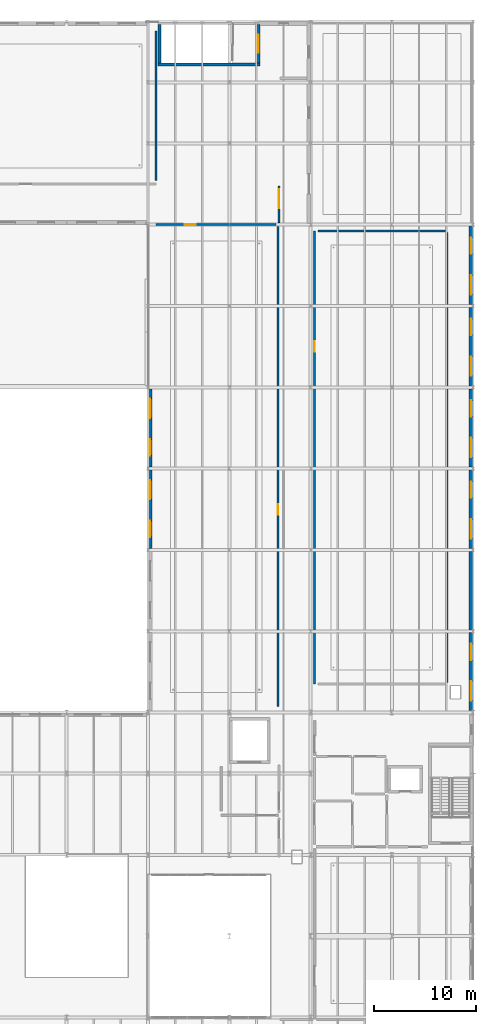
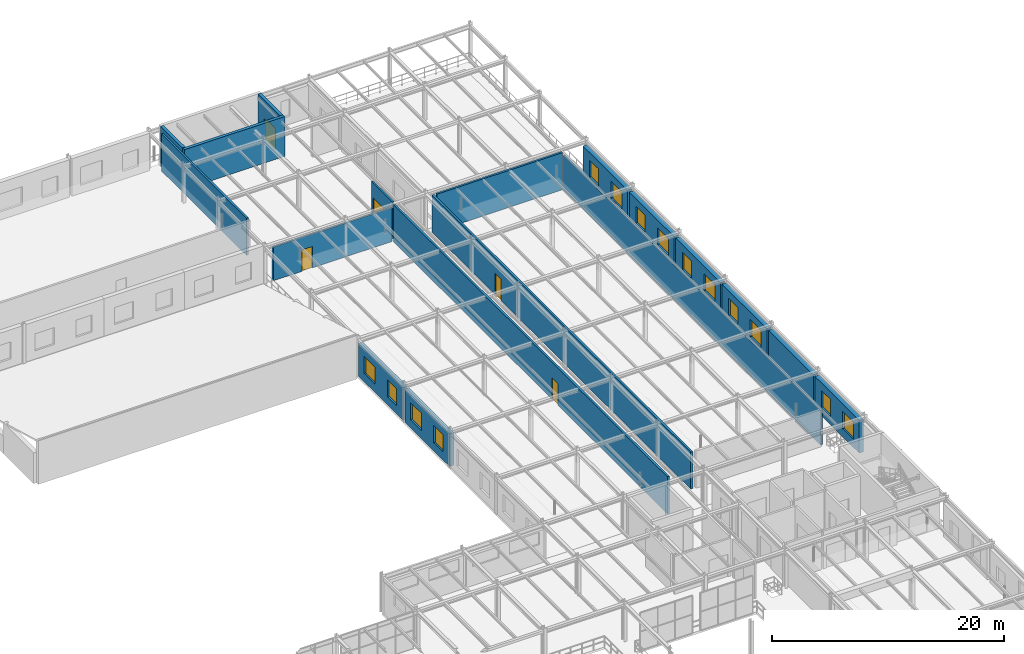
# One storey, part 88 of 124: 18 walls, 14 windows, 5 doors, 19 openings.
"""IFC4 building model written with IfcOpenShell, lengths in metres."""

import ifcopenshell
import ifcopenshell.guid

model = None  # the IFC model being written
_history = None  # IfcOwnerHistory: only IFC2X3 demands one
_inside = {}  # id of a spatial element -> (the spatial element, [elements in it])
_under = {}  # id of a project, library or spatial element -> (it, [spatial elements below it])
_declared = {}  # id of a project -> (the project, [libraries it declares])
_typed = {}  # id of a type object -> (the type object, [elements of that type])
_made_of = {}  # id of a material, layer set ... -> (it, [elements and type objects made of it])


def new_model(schema):
    """Start an empty IFC model of exactly this schema.

    Asked for "IFC4X3", IfcOpenShell would pick the latest addendum, in which some entities
    have other attributes; the version numbers below select the first issue.
    IFC2X3 requires an IfcOwnerHistory on every rooted entity: one is made here for all.
    """
    global model, _history
    if schema == "IFC4X3":
        model = ifcopenshell.file(schema_version=(4, 3, 0, 0))
    else:
        model = ifcopenshell.file(schema=schema)
    _inside.clear()
    _under.clear()
    _declared.clear()
    _typed.clear()
    _made_of.clear()
    _history = None
    if model.schema == "IFC2X3":
        org = make("IfcOrganization", Name="unknown")
        user = make(
            "IfcPersonAndOrganization",
            ThePerson=make("IfcPerson", FamilyName="unknown"),
            TheOrganization=org,
        )
        app = make(
            "IfcApplication",
            ApplicationDeveloper=org,
            Version="unknown",
            ApplicationFullName="unknown",
            ApplicationIdentifier="unknown",
        )
        _history = make(
            "IfcOwnerHistory",
            OwningUser=user,
            OwningApplication=app,
            ChangeAction="ADDED",
            CreationDate=0,
        )
    return model


def make(cls, **values):
    """One entity of the class cls with the attributes given. An attribute that is None is left unset."""
    return model.create_entity(
        cls, **{name: value for name, value in values.items() if value is not None}
    )


def rooted(cls, **values):
    """An entity with a GlobalId (a new one), such as an element, a storey or a relation."""
    return make(cls, GlobalId=ifcopenshell.guid.new(), OwnerHistory=_history, **values)


def si_unit(unit_type, name, prefix=None):
    """IfcSIUnit, for example si_unit("LENGTHUNIT", "METRE", prefix="MILLI")."""
    return make("IfcSIUnit", UnitType=unit_type, Prefix=prefix, Name=name)


def assignment(units):
    """IfcUnitAssignment: the units of a project."""
    return None if units is None else make("IfcUnitAssignment", Units=units)


def point(xyz):
    """IfcCartesianPoint."""
    return None if xyz is None else make("IfcCartesianPoint", Coordinates=xyz)


def direction(xyz):
    """IfcDirection."""
    return None if xyz is None else make("IfcDirection", DirectionRatios=xyz)


def frame(location, z_axis=None, x_axis=None):
    """IfcAxis2Placement3D, a coordinate frame: its origin and axes. An axis left out is left unset."""
    return make(
        "IfcAxis2Placement3D",
        Location=point(location),
        Axis=direction(z_axis),
        RefDirection=direction(x_axis),
    )


def frame_2d(location, x_axis=None):
    """IfcAxis2Placement2D, a coordinate frame in the plane: its origin and x axis."""
    return make(
        "IfcAxis2Placement2D", Location=point(location), RefDirection=direction(x_axis)
    )


def origin():
    """The frame at (0, 0, 0) with its axes left unset."""
    return frame((0.0, 0.0, 0.0))


def place(relative_to, where):
    """IfcLocalPlacement: puts the frame where relative to a parent placement (None: the world)."""
    return make(
        "IfcLocalPlacement", PlacementRelTo=relative_to, RelativePlacement=where
    )


def context(
    kind, dimensions, precision=None, world=None, true_north=None, identifier=None
):
    """IfcGeometricRepresentationContext, for example the 3D "Model" context."""
    return make(
        "IfcGeometricRepresentationContext",
        ContextIdentifier=identifier,
        ContextType=kind,
        CoordinateSpaceDimension=dimensions,
        Precision=precision,
        WorldCoordinateSystem=world,
        TrueNorth=true_north,
    )


def subcontext(parent, identifier, kind, view, scale=None):
    """IfcGeometricRepresentationSubContext, for example "Body" below "Model"."""
    return make(
        "IfcGeometricRepresentationSubContext",
        ContextIdentifier=identifier,
        ContextType=kind,
        ParentContext=parent,
        TargetScale=scale,
        TargetView=view,
    )


def project(units=None, contexts=None):
    """IfcProject with its units and contexts."""
    return rooted(
        "IfcProject",
        Name="project",
        RepresentationContexts=contexts,
        UnitsInContext=assignment(units),
    )


def spatial(cls, under=None, at=None, **own):
    """A site, building, storey or space (cls), placed at a placement, below another one or the project."""
    s = rooted(cls, ObjectPlacement=at, **own)
    if under is not None:
        _under.setdefault(under.id(), (under, []))[1].append(s)
    return s


def profile(cls, at=None, kind="AREA", **sizes):
    """A parametric profile (cls). Its sizes go by their IFC names, for example OverallWidth=200.0."""
    return make(cls, ProfileType=kind, Position=at, **sizes)


def rectangle(**sizes):
    """IfcRectangleProfileDef."""
    return profile("IfcRectangleProfileDef", **sizes)


def extrude(swept, where, along, depth):
    """IfcExtrudedAreaSolid: the profile swept, set in the frame where, extruded along a direction by depth."""
    return make(
        "IfcExtrudedAreaSolid",
        SweptArea=swept,
        Position=where,
        ExtrudedDirection=direction(along),
        Depth=depth,
    )


def shape(context_of_items, identifier, shape_type, items):
    """IfcShapeRepresentation: the items that make up one representation, for example the "Body"."""
    return make(
        "IfcShapeRepresentation",
        ContextOfItems=context_of_items,
        RepresentationIdentifier=identifier,
        RepresentationType=shape_type,
        Items=items,
    )


def material(Name=None, Category=None):
    """IfcMaterial."""
    return make("IfcMaterial", Name=Name, Category=Category)


def layer(
    of_material, thickness, ventilated=None, Name=None, Category=None, Priority=None
):
    """IfcMaterialLayer: one layer of a wall or slab, of a material (None: an air gap)."""
    return make(
        "IfcMaterialLayer",
        Material=of_material,
        LayerThickness=thickness,
        IsVentilated=ventilated,
        Name=Name,
        Category=Category,
        Priority=Priority,
    )


def layer_set(layers, Name=None):
    """IfcMaterialLayerSet."""
    return make("IfcMaterialLayerSet", MaterialLayers=layers, LayerSetName=Name)


def made_of(thing, what):
    """Note that an element or type object is made of a material, layer set ...; save() writes the relation."""
    if what is not None:
        _made_of.setdefault(what.id(), (what, []))[1].append(thing)
    return thing


def type_object(cls, material=None, **own):
    """A type object (cls), such as IfcWallType, which elements share."""
    return made_of(rooted(cls, **own), material)


def element(
    cls,
    number,
    at=None,
    inside=None,
    cuts=None,
    type_object=None,
    material=None,
    context=None,
    identifier="Body",
    shape_type=None,
    held_by="IfcProductDefinitionShape",
    body=None,
    shapes=None,
    **own,
):
    """One element of the class cls, such as IfcWall. Its Tag is "e" and its number.

    at: its placement. inside: the storey or other place that contains it. cuts: it is an
    opening in that element (IfcRelVoidsElement). A single representation is given by context,
    identifier, shape_type and body (its items); several are given by shapes. held_by: the class
    of the entity that holds the representations. save() writes the other relations.
    """
    e = rooted(cls, Tag="e%d" % number, ObjectPlacement=at, **own)
    if body is not None:
        shapes = [shape(context, identifier, shape_type, body)]
    if shapes is not None:
        e.Representation = make(held_by, Representations=shapes)
    if inside is not None:
        _inside.setdefault(inside.id(), (inside, []))[1].append(e)
    if cuts is not None:
        rooted(
            "IfcRelVoidsElement", RelatingBuildingElement=cuts, RelatedOpeningElement=e
        )
    if type_object is not None:
        _typed.setdefault(type_object.id(), (type_object, []))[1].append(e)
    return made_of(e, material)


def fill(opening, filler):
    """IfcRelFillsElement: the door or window that sits in an opening."""
    return rooted(
        "IfcRelFillsElement",
        RelatingOpeningElement=opening,
        RelatedBuildingElement=filler,
    )


def aggregate(whole, parts):
    """IfcRelAggregates: a whole, such as a stair, and the parts it consists of."""
    return rooted("IfcRelAggregates", RelatingObject=whole, RelatedObjects=parts)


def save(model, path):
    """Write the relations noted so far, then the file.

    IfcRelAggregates (storeys below a building ...), IfcRelContainedInSpatialStructure (elements
    in a storey), IfcRelDefinesByType, IfcRelAssociatesMaterial and IfcRelDeclares: one each for
    every whole, place, type object, material and project.
    """
    for whole, parts in _under.values():
        aggregate(whole, parts)
    for where, things in _inside.values():
        rooted(
            "IfcRelContainedInSpatialStructure",
            RelatedElements=things,
            RelatingStructure=where,
        )
    for kind, things in _typed.values():
        rooted("IfcRelDefinesByType", RelatedObjects=things, RelatingType=kind)
    for what, things in _made_of.values():
        rooted("IfcRelAssociatesMaterial", RelatedObjects=things, RelatingMaterial=what)
    for by, libraries in _declared.values():
        rooted("IfcRelDeclares", RelatingContext=by, RelatedDefinitions=libraries)
    model.write(path)


model = new_model("IFC4")

# Units and contexts
model_context = context("Model", 3, precision=1e-05, world=origin(), true_north=direction((0.0, 1.0)))
body_context = subcontext(model_context, "Body", "Model", "MODEL_VIEW")
ifc_project = project(units=[si_unit("LENGTHUNIT", "METRE"), si_unit("AREAUNIT", "SQUARE_METRE"), si_unit("VOLUMEUNIT", "CUBIC_METRE"), si_unit("PLANEANGLEUNIT", "RADIAN"), si_unit("MASSUNIT", "GRAM", prefix="KILO")], contexts=[model_context])

# Site, building, storey
site_placement = place(None, origin())
site = spatial("IfcSite", under=ifc_project, at=site_placement, CompositionType="ELEMENT")
building_placement = place(site_placement, origin())
building = spatial("IfcBuilding", under=site, at=building_placement, Name="Sundkrona Museum", CompositionType="ELEMENT")
storey_placement = place(building_placement, frame((0.0, 0.0, 17.60009765625)))
storey = spatial("IfcBuildingStorey", under=building, at=storey_placement, Name="L03", CompositionType="ELEMENT", Elevation=17.60009765625)

# Walls
ifc_material_1 = material(Name="Concrete C40/50", Category="concrete")
ifc_layer_1 = layer(ifc_material_1, 0.300048828125)
ifc_layer_set_1 = layer_set([ifc_layer_1], Name="Concrete C40/50")
wall_type_1 = type_object("IfcWallType", Name="W-CORE-300", PredefinedType="SHEAR", material=ifc_layer_set_1)
wall_1_placement = place(storey_placement, frame((137.0, 109.75, 0.0), z_axis=(0.0, 0.0, 1.0), x_axis=(1.0, 0.0, 0.0)))
element("IfcWall", 1, at=wall_1_placement, inside=storey, type_object=wall_type_1, Name="L03 ST-5 Core Shear Wall South", PredefinedType="SHEAR", context=body_context, shape_type="SweptSolid", body=[
    extrude(rectangle(XDim=10.0, YDim=0.300048828125, at=frame_2d((5.0, 0.0))), origin(), (0.0, 0.0, 1.0), 4.199951171875),
])
wall_2_placement = place(storey_placement, frame((137.14990234375, 109.909912109375, 0.0), z_axis=(0.0, 0.0, 1.0), x_axis=(0.0, 1.0, 0.0)))
element("IfcWall", 2, at=wall_2_placement, inside=storey, type_object=wall_type_1, Name="L03 ST-5 Core Shear Wall West", PredefinedType="SHEAR", context=body_context, shape_type="SweptSolid", body=[
    extrude(rectangle(XDim=3.780029296875, YDim=0.300048828125, at=frame_2d((1.89013671875, 0.0))), origin(), (0.0, 0.0, 1.0), 4.199951171875),
])

# Wall, opening, door
wall_3_placement = place(storey_placement, frame((146.85009765625, 109.909912109375, 0.0), z_axis=(0.0, 0.0, 1.0), x_axis=(0.0, 1.0, 0.0)))
wall_3 = element("IfcWall", 3, at=wall_3_placement, inside=storey, type_object=wall_type_1, Name="L03 ST-5 Core Shear Wall East", PredefinedType="SHEAR", context=body_context, shape_type="SweptSolid", body=[
    extrude(rectangle(XDim=3.780029296875, YDim=0.300048828125, at=frame_2d((1.89013671875, 0.0))), origin(), (0.0, 0.0, 1.0), 4.199951171875),
])
opening_1_placement = place(wall_3_placement, frame((0.989990234375, 0.0, 0.0)))
opening_1 = element("IfcOpeningElement", 4, at=opening_1_placement, cuts=wall_3, Name="Opening D-FD60", PredefinedType="OPENING", context=body_context, shape_type="SweptSolid", body=[
    extrude(rectangle(XDim=1.800048828125, YDim=2.199951171875, at=frame_2d((0.89990234375, 1.10009765625))), frame((0.0, 0.159912109375, 0.0), z_axis=(0.0, -1.0, 0.0), x_axis=(1.0, 0.0, 0.0)), (0.0, 0.0, 1.0), 0.320068359375),
])
ifc_material_2 = material(Name="Steel S355J2 Fire Door Leaf", Category="steel")
door_type_1 = type_object("IfcDoorType", Name="D-FD60", OperationType="DOUBLE_DOOR_SINGLE_SWING", PredefinedType="DOOR", material=ifc_material_2)
door_1_placement = place(opening_1_placement, origin())
door_1 = element("IfcDoor", 5, at=door_1_placement, inside=storey, type_object=door_type_1, Name="L03 ST-5 Protected Escape Stair Door DR-ST-5-L03", OperationType="DOUBLE_DOOR_SINGLE_SWING", OverallHeight=2.199951171875, OverallWidth=1.800048828125, PredefinedType="DOOR", context=body_context, shape_type="SweptSolid", body=[
    extrude(rectangle(XDim=1.800048828125, YDim=2.199951171875, at=frame_2d((0.89990234375, 1.10009765625))), frame((0.0, 0.02490234375, 0.0), z_axis=(0.0, -1.0, 0.0), x_axis=(1.0, 0.0, 0.0)), (0.0, 0.0, 1.0), 0.050048828125),
])
fill(opening_1, door_1)

# Wall, openings, windows
ifc_material_3 = material(Name="Scanian Polychrome Clay Brickwork 420 mm", Category="masonry")
ifc_layer_2 = layer(ifc_material_3, 0.419921875)
ifc_layer_set_2 = layer_set([ifc_layer_2], Name="Scanian Polychrome Clay Brickwork 420 mm")
wall_type_2 = type_object("IfcWallType", Name="W-EX-420", PredefinedType="SOLIDWALL", material=ifc_layer_set_2)
wall_4_placement = place(storey_placement, frame((136.2099609375, 62.14208984375, 0.0), z_axis=(0.0, 0.0, 1.0), x_axis=(0.0, 1.0, 0.0)))
wall_4 = element("IfcWall", 6, at=wall_4_placement, inside=storey, type_object=wall_type_2, Name="L03 Facade Wall 0313", PredefinedType="SOLIDWALL", context=body_context, shape_type="SweptSolid", body=[
    extrude(rectangle(XDim=7.7158203125, YDim=0.419921875, at=frame_2d((3.85791015625, 0.0))), origin(), (0.0, 0.0, 1.0), 3.44482421875),
])
opening_2_placement = place(wall_4_placement, frame((1.12890625, 0.0, 0.85009765625)))
opening_2 = element("IfcOpeningElement", 7, at=opening_2_placement, cuts=wall_4, Name="Opening WN-LB-160x180", PredefinedType="OPENING", context=body_context, shape_type="SweptSolid", body=[
    extrude(rectangle(XDim=1.60009765625, YDim=1.800048828125, at=frame_2d((0.800048828125, 0.89990234375))), frame((0.0, 0.219970703125, 0.0), z_axis=(0.0, -1.0, 0.0), x_axis=(1.0, 0.0, 0.0)), (0.0, 0.0, 1.0), 0.43994140625),
])
opening_3_placement = place(wall_4_placement, frame((4.8369140625, 0.0, 0.85009765625)))
opening_3 = element("IfcOpeningElement", 8, at=opening_3_placement, cuts=wall_4, Name="Opening WN-LB-190x180", PredefinedType="OPENING", context=body_context, shape_type="SweptSolid", body=[
    extrude(rectangle(XDim=1.89990234375, YDim=1.800048828125, at=frame_2d((0.949951171875, 0.89990234375))), frame((0.0, 0.219970703125, 0.0), z_axis=(0.0, -1.0, 0.0), x_axis=(1.0, 0.0, 0.0)), (0.0, 0.0, 1.0), 0.43994140625),
])
ifc_material_4 = material(Name="Triple Low-E Argon Glazing in Bronze-Anodised Aluminium", Category="aluminium")
window_type_1 = type_object("IfcWindowType", Name="WN-LB-160x180", PartitioningType="DOUBLE_PANEL_VERTICAL", PredefinedType="WINDOW", material=ifc_material_4)
window_1_placement = place(opening_2_placement, origin())
window_1 = element("IfcWindow", 9, at=window_1_placement, inside=storey, type_object=window_type_1, Name="L03 Conservation laboratory deep-reveal window 1600x1800 WIN-L03-0432", OverallHeight=1.800048828125, OverallWidth=1.60009765625, PartitioningType="DOUBLE_PANEL_VERTICAL", PredefinedType="WINDOW", context=body_context, shape_type="SweptSolid", body=[
    extrude(rectangle(XDim=1.60009765625, YDim=1.800048828125, at=frame_2d((0.800048828125, 0.89990234375))), frame((0.0, 0.030029296875, 0.0), z_axis=(0.0, -1.0, 0.0), x_axis=(1.0, 0.0, 0.0)), (0.0, 0.0, 1.0), 0.06005859375),
])
fill(opening_2, window_1)
window_type_2 = type_object("IfcWindowType", Name="WN-LB-190x180", PartitioningType="DOUBLE_PANEL_VERTICAL", PredefinedType="WINDOW", material=ifc_material_4)
window_2_placement = place(opening_3_placement, origin())
window_2 = element("IfcWindow", 10, at=window_2_placement, inside=storey, type_object=window_type_2, Name="L03 Analytical studio bench-height window 1900x1800 WIN-L03-0433", OverallHeight=1.800048828125, OverallWidth=1.89990234375, PartitioningType="DOUBLE_PANEL_VERTICAL", PredefinedType="WINDOW", context=body_context, shape_type="SweptSolid", body=[
    extrude(rectangle(XDim=1.89990234375, YDim=1.800048828125, at=frame_2d((0.949951171875, 0.89990234375))), frame((0.0, 0.030029296875, 0.0), z_axis=(0.0, -1.0, 0.0), x_axis=(1.0, 0.0, 0.0)), (0.0, 0.0, 1.0), 0.06005859375),
])
fill(opening_3, window_2)

wall_5_placement = place(storey_placement, frame((136.2099609375, 70.14208984375, 0.0), z_axis=(0.0, 0.0, 1.0), x_axis=(0.0, 1.0, 0.0)))
wall_5 = element("IfcWall", 11, at=wall_5_placement, inside=storey, type_object=wall_type_2, Name="L03 Facade Wall 0314", PredefinedType="SOLIDWALL", context=body_context, shape_type="SweptSolid", body=[
    extrude(rectangle(XDim=7.7158203125, YDim=0.419921875, at=frame_2d((3.85791015625, 0.0))), origin(), (0.0, 0.0, 1.0), 3.44482421875),
])
opening_4_placement = place(wall_5_placement, frame((1.12890625, 0.0, 0.85009765625)))
opening_4 = element("IfcOpeningElement", 12, at=opening_4_placement, cuts=wall_5, Name="Opening WN-LB-160x180", PredefinedType="OPENING", context=body_context, shape_type="SweptSolid", body=[
    extrude(rectangle(XDim=1.60009765625, YDim=1.800048828125, at=frame_2d((0.800048828125, 0.89990234375))), frame((0.0, 0.219970703125, 0.0), z_axis=(0.0, -1.0, 0.0), x_axis=(1.0, 0.0, 0.0)), (0.0, 0.0, 1.0), 0.43994140625),
])
opening_5_placement = place(wall_5_placement, frame((4.8369140625, 0.0, 0.85009765625)))
opening_5 = element("IfcOpeningElement", 13, at=opening_5_placement, cuts=wall_5, Name="Opening WN-LB-190x180", PredefinedType="OPENING", context=body_context, shape_type="SweptSolid", body=[
    extrude(rectangle(XDim=1.89990234375, YDim=1.800048828125, at=frame_2d((0.949951171875, 0.89990234375))), frame((0.0, 0.219970703125, 0.0), z_axis=(0.0, -1.0, 0.0), x_axis=(1.0, 0.0, 0.0)), (0.0, 0.0, 1.0), 0.43994140625),
])
window_3_placement = place(opening_4_placement, origin())
window_3 = element("IfcWindow", 14, at=window_3_placement, inside=storey, type_object=window_type_1, Name="L03 Conservation laboratory deep-reveal window 1600x1800 WIN-L03-0434", OverallHeight=1.800048828125, OverallWidth=1.60009765625, PartitioningType="DOUBLE_PANEL_VERTICAL", PredefinedType="WINDOW", context=body_context, shape_type="SweptSolid", body=[
    extrude(rectangle(XDim=1.60009765625, YDim=1.800048828125, at=frame_2d((0.800048828125, 0.89990234375))), frame((0.0, 0.030029296875, 0.0), z_axis=(0.0, -1.0, 0.0), x_axis=(1.0, 0.0, 0.0)), (0.0, 0.0, 1.0), 0.06005859375),
])
fill(opening_4, window_3)
window_4_placement = place(opening_5_placement, origin())
window_4 = element("IfcWindow", 15, at=window_4_placement, inside=storey, type_object=window_type_2, Name="L03 Analytical studio bench-height window 1900x1800 WIN-L03-0435", OverallHeight=1.800048828125, OverallWidth=1.89990234375, PartitioningType="DOUBLE_PANEL_VERTICAL", PredefinedType="WINDOW", context=body_context, shape_type="SweptSolid", body=[
    extrude(rectangle(XDim=1.89990234375, YDim=1.800048828125, at=frame_2d((0.949951171875, 0.89990234375))), frame((0.0, 0.030029296875, 0.0), z_axis=(0.0, -1.0, 0.0), x_axis=(1.0, 0.0, 0.0)), (0.0, 0.0, 1.0), 0.06005859375),
])
fill(opening_5, window_4)

wall_6_placement = place(storey_placement, frame((167.7900390625, 53.85791015625, 0.0), z_axis=(0.0, 0.0, 1.0), x_axis=(0.0, -1.0, 0.0)))
wall_6 = element("IfcWall", 16, at=wall_6_placement, inside=storey, type_object=wall_type_2, Name="L03 Facade Wall 0363", PredefinedType="SOLIDWALL", context=body_context, shape_type="SweptSolid", body=[
    extrude(rectangle(XDim=7.630859375, YDim=0.419921875, at=frame_2d((3.8154296875, 0.0))), origin(), (0.0, 0.0, 1.0), 3.44482421875),
])
opening_6_placement = place(wall_6_placement, frame((1.10791015625, 0.0, 0.85009765625)))
opening_6 = element("IfcOpeningElement", 17, at=opening_6_placement, cuts=wall_6, Name="Opening WN-LB-160x180", PredefinedType="OPENING", context=body_context, shape_type="SweptSolid", body=[
    extrude(rectangle(XDim=1.60009765625, YDim=1.800048828125, at=frame_2d((0.800048828125, 0.89990234375))), frame((0.0, 0.219970703125, 0.0), z_axis=(0.0, -1.0, 0.0), x_axis=(1.0, 0.0, 0.0)), (0.0, 0.0, 1.0), 0.43994140625),
])
opening_7_placement = place(wall_6_placement, frame((4.773193359375, 0.0, 0.85009765625)))
opening_7 = element("IfcOpeningElement", 18, at=opening_7_placement, cuts=wall_6, Name="Opening WN-LB-190x180", PredefinedType="OPENING", context=body_context, shape_type="SweptSolid", body=[
    extrude(rectangle(XDim=1.89990234375, YDim=1.800048828125, at=frame_2d((0.949951171875, 0.89990234375))), frame((0.0, 0.219970703125, 0.0), z_axis=(0.0, -1.0, 0.0), x_axis=(1.0, 0.0, 0.0)), (0.0, 0.0, 1.0), 0.43994140625),
])
window_5_placement = place(opening_6_placement, origin())
window_5 = element("IfcWindow", 19, at=window_5_placement, inside=storey, type_object=window_type_1, Name="L03 Conservation laboratory deep-reveal window 1600x1800 WIN-L03-0469", OverallHeight=1.800048828125, OverallWidth=1.60009765625, PartitioningType="DOUBLE_PANEL_VERTICAL", PredefinedType="WINDOW", context=body_context, shape_type="SweptSolid", body=[
    extrude(rectangle(XDim=1.60009765625, YDim=1.800048828125, at=frame_2d((0.800048828125, 0.89990234375))), frame((0.0, 0.030029296875, 0.0), z_axis=(0.0, -1.0, 0.0), x_axis=(1.0, 0.0, 0.0)), (0.0, 0.0, 1.0), 0.06005859375),
])
fill(opening_6, window_5)
window_6_placement = place(opening_7_placement, origin())
window_6 = element("IfcWindow", 20, at=window_6_placement, inside=storey, type_object=window_type_2, Name="L03 Analytical studio bench-height window 1900x1800 WIN-L03-0470", OverallHeight=1.800048828125, OverallWidth=1.89990234375, PartitioningType="DOUBLE_PANEL_VERTICAL", PredefinedType="WINDOW", context=body_context, shape_type="SweptSolid", body=[
    extrude(rectangle(XDim=1.89990234375, YDim=1.800048828125, at=frame_2d((0.949951171875, 0.89990234375))), frame((0.0, 0.030029296875, 0.0), z_axis=(0.0, -1.0, 0.0), x_axis=(1.0, 0.0, 0.0)), (0.0, 0.0, 1.0), 0.06005859375),
])
fill(opening_7, window_6)

# Wall
wall_7_placement = place(storey_placement, frame((167.7900390625, 61.85791015625, 0.0), z_axis=(0.0, 0.0, 1.0), x_axis=(0.0, -1.0, 0.0)))
element("IfcWall", 21, at=wall_7_placement, inside=storey, type_object=wall_type_2, Name="L03 Facade Wall 0364", PredefinedType="SOLIDWALL", context=body_context, shape_type="SweptSolid", body=[
    extrude(rectangle(XDim=7.7158203125, YDim=0.419921875, at=frame_2d((3.85791015625, 0.0))), origin(), (0.0, 0.0, 1.0), 3.44482421875),
])

# Wall, openings, windows
wall_8_placement = place(storey_placement, frame((167.7900390625, 69.85791015625, 0.0), z_axis=(0.0, 0.0, 1.0), x_axis=(0.0, -1.0, 0.0)))
wall_8 = element("IfcWall", 22, at=wall_8_placement, inside=storey, type_object=wall_type_2, Name="L03 Facade Wall 0365", PredefinedType="SOLIDWALL", context=body_context, shape_type="SweptSolid", body=[
    extrude(rectangle(XDim=7.7158203125, YDim=0.419921875, at=frame_2d((3.85791015625, 0.0))), origin(), (0.0, 0.0, 1.0), 3.44482421875),
])
opening_8_placement = place(wall_8_placement, frame((1.12890625, 0.0, 0.85009765625)))
opening_8 = element("IfcOpeningElement", 23, at=opening_8_placement, cuts=wall_8, Name="Opening WN-LB-160x180", PredefinedType="OPENING", context=body_context, shape_type="SweptSolid", body=[
    extrude(rectangle(XDim=1.60009765625, YDim=1.800048828125, at=frame_2d((0.800048828125, 0.89990234375))), frame((0.0, 0.219970703125, 0.0), z_axis=(0.0, -1.0, 0.0), x_axis=(1.0, 0.0, 0.0)), (0.0, 0.0, 1.0), 0.43994140625),
])
opening_9_placement = place(wall_8_placement, frame((4.8369140625, 0.0, 0.85009765625)))
opening_9 = element("IfcOpeningElement", 24, at=opening_9_placement, cuts=wall_8, Name="Opening WN-LB-190x180", PredefinedType="OPENING", context=body_context, shape_type="SweptSolid", body=[
    extrude(rectangle(XDim=1.89990234375, YDim=1.800048828125, at=frame_2d((0.949951171875, 0.89990234375))), frame((0.0, 0.219970703125, 0.0), z_axis=(0.0, -1.0, 0.0), x_axis=(1.0, 0.0, 0.0)), (0.0, 0.0, 1.0), 0.43994140625),
])
window_7_placement = place(opening_8_placement, origin())
window_7 = element("IfcWindow", 25, at=window_7_placement, inside=storey, type_object=window_type_1, Name="L03 Conservation laboratory deep-reveal window 1600x1800 WIN-L03-0471", OverallHeight=1.800048828125, OverallWidth=1.60009765625, PartitioningType="DOUBLE_PANEL_VERTICAL", PredefinedType="WINDOW", context=body_context, shape_type="SweptSolid", body=[
    extrude(rectangle(XDim=1.60009765625, YDim=1.800048828125, at=frame_2d((0.800048828125, 0.89990234375))), frame((0.0, 0.030029296875, 0.0), z_axis=(0.0, -1.0, 0.0), x_axis=(1.0, 0.0, 0.0)), (0.0, 0.0, 1.0), 0.06005859375),
])
fill(opening_8, window_7)
window_8_placement = place(opening_9_placement, origin())
window_8 = element("IfcWindow", 26, at=window_8_placement, inside=storey, type_object=window_type_2, Name="L03 Analytical studio bench-height window 1900x1800 WIN-L03-0472", OverallHeight=1.800048828125, OverallWidth=1.89990234375, PartitioningType="DOUBLE_PANEL_VERTICAL", PredefinedType="WINDOW", context=body_context, shape_type="SweptSolid", body=[
    extrude(rectangle(XDim=1.89990234375, YDim=1.800048828125, at=frame_2d((0.949951171875, 0.89990234375))), frame((0.0, 0.030029296875, 0.0), z_axis=(0.0, -1.0, 0.0), x_axis=(1.0, 0.0, 0.0)), (0.0, 0.0, 1.0), 0.06005859375),
])
fill(opening_9, window_8)

wall_9_placement = place(storey_placement, frame((167.7900390625, 77.85791015625, 0.0), z_axis=(0.0, 0.0, 1.0), x_axis=(0.0, -1.0, 0.0)))
wall_9 = element("IfcWall", 27, at=wall_9_placement, inside=storey, type_object=wall_type_2, Name="L03 Facade Wall 0366", PredefinedType="SOLIDWALL", context=body_context, shape_type="SweptSolid", body=[
    extrude(rectangle(XDim=7.7158203125, YDim=0.419921875, at=frame_2d((3.85791015625, 0.0))), origin(), (0.0, 0.0, 1.0), 3.44482421875),
])
opening_10_placement = place(wall_9_placement, frame((1.12890625, 0.0, 0.85009765625)))
opening_10 = element("IfcOpeningElement", 28, at=opening_10_placement, cuts=wall_9, Name="Opening WN-LB-160x180", PredefinedType="OPENING", context=body_context, shape_type="SweptSolid", body=[
    extrude(rectangle(XDim=1.60009765625, YDim=1.800048828125, at=frame_2d((0.800048828125, 0.89990234375))), frame((0.0, 0.219970703125, 0.0), z_axis=(0.0, -1.0, 0.0), x_axis=(1.0, 0.0, 0.0)), (0.0, 0.0, 1.0), 0.43994140625),
])
opening_11_placement = place(wall_9_placement, frame((4.8369140625, 0.0, 0.85009765625)))
opening_11 = element("IfcOpeningElement", 29, at=opening_11_placement, cuts=wall_9, Name="Opening WN-LB-190x180", PredefinedType="OPENING", context=body_context, shape_type="SweptSolid", body=[
    extrude(rectangle(XDim=1.89990234375, YDim=1.800048828125, at=frame_2d((0.949951171875, 0.89990234375))), frame((0.0, 0.219970703125, 0.0), z_axis=(0.0, -1.0, 0.0), x_axis=(1.0, 0.0, 0.0)), (0.0, 0.0, 1.0), 0.43994140625),
])
window_9_placement = place(opening_10_placement, origin())
window_9 = element("IfcWindow", 30, at=window_9_placement, inside=storey, type_object=window_type_1, Name="L03 Conservation laboratory deep-reveal window 1600x1800 WIN-L03-0473", OverallHeight=1.800048828125, OverallWidth=1.60009765625, PartitioningType="DOUBLE_PANEL_VERTICAL", PredefinedType="WINDOW", context=body_context, shape_type="SweptSolid", body=[
    extrude(rectangle(XDim=1.60009765625, YDim=1.800048828125, at=frame_2d((0.800048828125, 0.89990234375))), frame((0.0, 0.030029296875, 0.0), z_axis=(0.0, -1.0, 0.0), x_axis=(1.0, 0.0, 0.0)), (0.0, 0.0, 1.0), 0.06005859375),
])
fill(opening_10, window_9)
window_10_placement = place(opening_11_placement, origin())
window_10 = element("IfcWindow", 31, at=window_10_placement, inside=storey, type_object=window_type_2, Name="L03 Analytical studio bench-height window 1900x1800 WIN-L03-0474", OverallHeight=1.800048828125, OverallWidth=1.89990234375, PartitioningType="DOUBLE_PANEL_VERTICAL", PredefinedType="WINDOW", context=body_context, shape_type="SweptSolid", body=[
    extrude(rectangle(XDim=1.89990234375, YDim=1.800048828125, at=frame_2d((0.949951171875, 0.89990234375))), frame((0.0, 0.030029296875, 0.0), z_axis=(0.0, -1.0, 0.0), x_axis=(1.0, 0.0, 0.0)), (0.0, 0.0, 1.0), 0.06005859375),
])
fill(opening_11, window_10)

wall_10_placement = place(storey_placement, frame((167.7900390625, 85.85791015625, 0.0), z_axis=(0.0, 0.0, 1.0), x_axis=(0.0, -1.0, 0.0)))
wall_10 = element("IfcWall", 32, at=wall_10_placement, inside=storey, type_object=wall_type_2, Name="L03 Facade Wall 0367", PredefinedType="SOLIDWALL", context=body_context, shape_type="SweptSolid", body=[
    extrude(rectangle(XDim=7.7158203125, YDim=0.419921875, at=frame_2d((3.85791015625, 0.0))), origin(), (0.0, 0.0, 1.0), 3.44482421875),
])
opening_12_placement = place(wall_10_placement, frame((1.12890625, 0.0, 0.85009765625)))
opening_12 = element("IfcOpeningElement", 33, at=opening_12_placement, cuts=wall_10, Name="Opening WN-LB-160x180", PredefinedType="OPENING", context=body_context, shape_type="SweptSolid", body=[
    extrude(rectangle(XDim=1.60009765625, YDim=1.800048828125, at=frame_2d((0.800048828125, 0.89990234375))), frame((0.0, 0.219970703125, 0.0), z_axis=(0.0, -1.0, 0.0), x_axis=(1.0, 0.0, 0.0)), (0.0, 0.0, 1.0), 0.43994140625),
])
opening_13_placement = place(wall_10_placement, frame((4.8369140625, 0.0, 0.85009765625)))
opening_13 = element("IfcOpeningElement", 34, at=opening_13_placement, cuts=wall_10, Name="Opening WN-LB-190x180", PredefinedType="OPENING", context=body_context, shape_type="SweptSolid", body=[
    extrude(rectangle(XDim=1.89990234375, YDim=1.800048828125, at=frame_2d((0.949951171875, 0.89990234375))), frame((0.0, 0.219970703125, 0.0), z_axis=(0.0, -1.0, 0.0), x_axis=(1.0, 0.0, 0.0)), (0.0, 0.0, 1.0), 0.43994140625),
])
window_11_placement = place(opening_12_placement, origin())
window_11 = element("IfcWindow", 35, at=window_11_placement, inside=storey, type_object=window_type_1, Name="L03 Conservation laboratory deep-reveal window 1600x1800 WIN-L03-0475", OverallHeight=1.800048828125, OverallWidth=1.60009765625, PartitioningType="DOUBLE_PANEL_VERTICAL", PredefinedType="WINDOW", context=body_context, shape_type="SweptSolid", body=[
    extrude(rectangle(XDim=1.60009765625, YDim=1.800048828125, at=frame_2d((0.800048828125, 0.89990234375))), frame((0.0, 0.030029296875, 0.0), z_axis=(0.0, -1.0, 0.0), x_axis=(1.0, 0.0, 0.0)), (0.0, 0.0, 1.0), 0.06005859375),
])
fill(opening_12, window_11)
window_12_placement = place(opening_13_placement, origin())
window_12 = element("IfcWindow", 36, at=window_12_placement, inside=storey, type_object=window_type_2, Name="L03 Analytical studio bench-height window 1900x1800 WIN-L03-0476", OverallHeight=1.800048828125, OverallWidth=1.89990234375, PartitioningType="DOUBLE_PANEL_VERTICAL", PredefinedType="WINDOW", context=body_context, shape_type="SweptSolid", body=[
    extrude(rectangle(XDim=1.89990234375, YDim=1.800048828125, at=frame_2d((0.949951171875, 0.89990234375))), frame((0.0, 0.030029296875, 0.0), z_axis=(0.0, -1.0, 0.0), x_axis=(1.0, 0.0, 0.0)), (0.0, 0.0, 1.0), 0.06005859375),
])
fill(opening_13, window_12)

wall_11_placement = place(storey_placement, frame((167.7900390625, 93.85791015625, 0.0), z_axis=(0.0, 0.0, 1.0), x_axis=(0.0, -1.0, 0.0)))
wall_11 = element("IfcWall", 37, at=wall_11_placement, inside=storey, type_object=wall_type_2, Name="L03 Facade Wall 0368", PredefinedType="SOLIDWALL", context=body_context, shape_type="SweptSolid", body=[
    extrude(rectangle(XDim=7.7158203125, YDim=0.419921875, at=frame_2d((3.85791015625, 0.0))), origin(), (0.0, 0.0, 1.0), 3.44482421875),
])
opening_14_placement = place(wall_11_placement, frame((1.12890625, 0.0, 0.85009765625)))
opening_14 = element("IfcOpeningElement", 38, at=opening_14_placement, cuts=wall_11, Name="Opening WN-LB-160x180", PredefinedType="OPENING", context=body_context, shape_type="SweptSolid", body=[
    extrude(rectangle(XDim=1.60009765625, YDim=1.800048828125, at=frame_2d((0.800048828125, 0.89990234375))), frame((0.0, 0.219970703125, 0.0), z_axis=(0.0, -1.0, 0.0), x_axis=(1.0, 0.0, 0.0)), (0.0, 0.0, 1.0), 0.43994140625),
])
opening_15_placement = place(wall_11_placement, frame((4.8369140625, 0.0, 0.85009765625)))
opening_15 = element("IfcOpeningElement", 39, at=opening_15_placement, cuts=wall_11, Name="Opening WN-LB-190x180", PredefinedType="OPENING", context=body_context, shape_type="SweptSolid", body=[
    extrude(rectangle(XDim=1.89990234375, YDim=1.800048828125, at=frame_2d((0.949951171875, 0.89990234375))), frame((0.0, 0.219970703125, 0.0), z_axis=(0.0, -1.0, 0.0), x_axis=(1.0, 0.0, 0.0)), (0.0, 0.0, 1.0), 0.43994140625),
])
window_13_placement = place(opening_14_placement, origin())
window_13 = element("IfcWindow", 40, at=window_13_placement, inside=storey, type_object=window_type_1, Name="L03 Conservation laboratory deep-reveal window 1600x1800 WIN-L03-0477", OverallHeight=1.800048828125, OverallWidth=1.60009765625, PartitioningType="DOUBLE_PANEL_VERTICAL", PredefinedType="WINDOW", context=body_context, shape_type="SweptSolid", body=[
    extrude(rectangle(XDim=1.60009765625, YDim=1.800048828125, at=frame_2d((0.800048828125, 0.89990234375))), frame((0.0, 0.030029296875, 0.0), z_axis=(0.0, -1.0, 0.0), x_axis=(1.0, 0.0, 0.0)), (0.0, 0.0, 1.0), 0.06005859375),
])
fill(opening_14, window_13)
window_14_placement = place(opening_15_placement, origin())
window_14 = element("IfcWindow", 41, at=window_14_placement, inside=storey, type_object=window_type_2, Name="L03 Analytical studio bench-height window 1900x1800 WIN-L03-0478", OverallHeight=1.800048828125, OverallWidth=1.89990234375, PartitioningType="DOUBLE_PANEL_VERTICAL", PredefinedType="WINDOW", context=body_context, shape_type="SweptSolid", body=[
    extrude(rectangle(XDim=1.89990234375, YDim=1.800048828125, at=frame_2d((0.949951171875, 0.89990234375))), frame((0.0, 0.030029296875, 0.0), z_axis=(0.0, -1.0, 0.0), x_axis=(1.0, 0.0, 0.0)), (0.0, 0.0, 1.0), 0.06005859375),
])
fill(opening_15, window_14)

# Wall, opening, door
ifc_material_5 = material(Name="Fire-rated Gypsum Partition Board 175 mm", Category="other")
ifc_layer_3 = layer(ifc_material_5, 0.175048828125)
ifc_layer_set_3 = layer_set([ifc_layer_3], Name="Fire-rated Gypsum Partition Board 175 mm")
wall_type_3 = type_object("IfcWallType", Name="W-PT-175", PredefinedType="PARTITIONING", material=ifc_layer_set_3)
wall_12_placement = place(storey_placement, frame((148.89990234375, 94.199951171875, 0.0), z_axis=(0.0, 0.0, 1.0), x_axis=(0.0, 1.0, 0.0)))
wall_12 = element("IfcWall", 42, at=wall_12_placement, inside=storey, type_object=wall_type_3, Name="L03 Partition East Laboratory Spine / Volume 5 Laboratory Corridor", PredefinedType="PARTITIONING", context=body_context, shape_type="SweptSolid", body=[
    extrude(rectangle(XDim=3.60009765625, YDim=0.175048828125, at=frame_2d((1.800048828125, 0.0))), origin(), (0.0, 0.0, 1.0), 3.89990234375),
])
opening_16_placement = place(wall_12_placement, frame((1.39990234375, 0.0, 0.0)))
opening_16 = element("IfcOpeningElement", 43, at=opening_16_placement, cuts=wall_12, Name="Opening D-AUD-190", PredefinedType="OPENING", context=body_context, shape_type="SweptSolid", body=[
    extrude(rectangle(XDim=1.89990234375, YDim=2.35009765625, at=frame_2d((0.949951171875, 1.175048828125))), frame((0.0, 0.097412109375, 0.0), z_axis=(0.0, -1.0, 0.0), x_axis=(1.0, 0.0, 0.0)), (0.0, 0.0, 1.0), 0.195068359375),
])
ifc_material_6 = material(Name="Acoustic Oak Fire Door", Category="other")
door_type_2 = type_object("IfcDoorType", Name="D-AUD-190", OperationType="DOUBLE_DOOR_SINGLE_SWING", PredefinedType="DOOR", material=ifc_material_6)
door_2_placement = place(opening_16_placement, origin())
door_2 = element("IfcDoor", 44, at=door_2_placement, inside=storey, type_object=door_type_2, Name="L03 Interior Door DR-ADJ-L03-0165", OperationType="DOUBLE_DOOR_SINGLE_SWING", OverallHeight=2.35009765625, OverallWidth=1.89990234375, PredefinedType="DOOR", context=body_context, shape_type="SweptSolid", body=[
    extrude(rectangle(XDim=1.89990234375, YDim=2.35009765625, at=frame_2d((0.949951171875, 1.175048828125))), frame((0.0, 0.02490234375, 0.0), z_axis=(0.0, -1.0, 0.0), x_axis=(1.0, 0.0, 0.0)), (0.0, 0.0, 1.0), 0.050048828125),
])
fill(opening_16, door_2)

ifc_material_7 = material(Name="Moisture-resistant Tile Partition 200 mm", Category="other")
ifc_layer_4 = layer(ifc_material_7, 0.199951171875)
ifc_layer_set_4 = layer_set([ifc_layer_4], Name="Moisture-resistant Tile Partition 200 mm")
wall_type_4 = type_object("IfcWallType", Name="W-PT-200", PredefinedType="PARTITIONING", material=ifc_layer_set_4)
wall_13_placement = place(storey_placement, frame((148.800048828125, 46.60009765625, 0.0), z_axis=(0.0, 0.0, 1.0), x_axis=(0.0, 1.0, 0.0)))
wall_13 = element("IfcWall", 45, at=wall_13_placement, inside=storey, type_object=wall_type_4, Name="L03 Partition East Laboratory Spine / Paper and Parchment Restoration Studio", PredefinedType="PARTITIONING", context=body_context, shape_type="SweptSolid", body=[
    extrude(rectangle(XDim=47.199951171875, YDim=0.199951171875, at=frame_2d((23.60009765625, 0.0))), origin(), (0.0, 0.0, 1.0), 3.89990234375),
])
opening_17_placement = place(wall_13_placement, frame((18.870361328125, 0.0, 0.0)))
opening_17 = element("IfcOpeningElement", 46, at=opening_17_placement, cuts=wall_13, Name="Opening D-LAB-105", PredefinedType="OPENING", context=body_context, shape_type="SweptSolid", body=[
    extrude(rectangle(XDim=1.050048828125, YDim=2.25, at=frame_2d((0.52490234375, 1.125))), frame((0.0, 0.10986328125, 0.0), z_axis=(0.0, -1.0, 0.0), x_axis=(1.0, 0.0, 0.0)), (0.0, 0.0, 1.0), 0.219970703125),
])
ifc_material_8 = material(Name="Laminated Timber Lab Door", Category="wood")
door_type_3 = type_object("IfcDoorType", Name="D-LAB-105", OperationType="NOTDEFINED", PredefinedType="DOOR", material=ifc_material_8)
door_3_placement = place(opening_17_placement, origin())
door_3 = element("IfcDoor", 47, at=door_3_placement, inside=storey, type_object=door_type_3, Name="L03 Interior Door DR-ADJ-L03-0167", OperationType="SINGLE_SWING_LEFT", OverallHeight=2.25, OverallWidth=1.050048828125, PredefinedType="DOOR", context=body_context, shape_type="SweptSolid", body=[
    extrude(rectangle(XDim=1.050048828125, YDim=2.25, at=frame_2d((0.52490234375, 1.125))), frame((0.0, 0.02490234375, 0.0), z_axis=(0.0, -1.0, 0.0), x_axis=(1.0, 0.0, 0.0)), (0.0, 0.0, 1.0), 0.050048828125),
])
fill(opening_17, door_3)

wall_14_placement = place(storey_placement, frame((152.39990234375, 48.800048828125, 0.0), z_axis=(0.0, 0.0, 1.0), x_axis=(0.0, 1.0, 0.0)))
wall_14 = element("IfcWall", 48, at=wall_14_placement, inside=storey, type_object=wall_type_4, Name="L03 Partition East Laboratory Spine / Imaging and Photogrammetry Studio", PredefinedType="PARTITIONING", context=body_context, shape_type="SweptSolid", body=[
    extrude(rectangle(XDim=44.599853515625, YDim=0.199951171875, at=frame_2d((22.2998046875, 0.0))), origin(), (0.0, 0.0, 1.0), 3.89990234375),
])
opening_18_placement = place(wall_14_placement, frame((32.6884765625, 0.0, 0.0)))
opening_18 = element("IfcOpeningElement", 49, at=opening_18_placement, cuts=wall_14, Name="Opening D-LAB-105", PredefinedType="OPENING", context=body_context, shape_type="SweptSolid", body=[
    extrude(rectangle(XDim=1.050048828125, YDim=2.25, at=frame_2d((0.52490234375, 1.125))), frame((0.0, 0.10986328125, 0.0), z_axis=(0.0, -1.0, 0.0), x_axis=(1.0, 0.0, 0.0)), (0.0, 0.0, 1.0), 0.219970703125),
])
door_4_placement = place(opening_18_placement, origin())
door_4 = element("IfcDoor", 50, at=door_4_placement, inside=storey, type_object=door_type_3, Name="L03 Interior Door DR-ADJ-L03-0168", OperationType="SINGLE_SWING_RIGHT", OverallHeight=2.25, OverallWidth=1.050048828125, PredefinedType="DOOR", context=body_context, shape_type="SweptSolid", body=[
    extrude(rectangle(XDim=1.050048828125, YDim=2.25, at=frame_2d((0.52490234375, 1.125))), frame((0.0, 0.02490234375, 0.0), z_axis=(0.0, -1.0, 0.0), x_axis=(1.0, 0.0, 0.0)), (0.0, 0.0, 1.0), 0.050048828125),
])
fill(opening_18, door_4)

wall_15_placement = place(storey_placement, frame((136.800048828125, 94.0, 0.0), z_axis=(0.0, 0.0, 1.0), x_axis=(1.0, 0.0, 0.0)))
wall_15 = element("IfcWall", 51, at=wall_15_placement, inside=storey, type_object=wall_type_4, Name="L03 Partition Volume 5 Laboratory Corridor / Paper and Parchment Restoration Studio", PredefinedType="PARTITIONING", context=body_context, shape_type="SweptSolid", body=[
    extrude(rectangle(XDim=11.800048828125, YDim=0.199951171875, at=frame_2d((5.89990234375, 0.0))), origin(), (0.0, 0.0, 1.0), 3.5498046875),
])
opening_19_placement = place(wall_15_placement, frame((2.83740234375, 0.0, 0.0)))
opening_19 = element("IfcOpeningElement", 52, at=opening_19_placement, cuts=wall_15, Name="Opening D-LAB-105", PredefinedType="OPENING", context=body_context, shape_type="SweptSolid", body=[
    extrude(rectangle(XDim=1.050048828125, YDim=2.25, at=frame_2d((0.52490234375, 1.125))), frame((0.0, 0.10986328125, 0.0), z_axis=(0.0, -1.0, 0.0), x_axis=(1.0, 0.0, 0.0)), (0.0, 0.0, 1.0), 0.219970703125),
])
door_5_placement = place(opening_19_placement, origin())
door_5 = element("IfcDoor", 53, at=door_5_placement, inside=storey, type_object=door_type_3, Name="L03 Interior Door DR-ADJ-L03-0175", OperationType="SINGLE_SWING_LEFT", OverallHeight=2.25, OverallWidth=1.050048828125, PredefinedType="DOOR", context=body_context, shape_type="SweptSolid", body=[
    extrude(rectangle(XDim=1.050048828125, YDim=2.25, at=frame_2d((0.52490234375, 1.125))), frame((0.0, 0.02490234375, 0.0), z_axis=(0.0, -1.0, 0.0), x_axis=(1.0, 0.0, 0.0)), (0.0, 0.0, 1.0), 0.050048828125),
])
fill(opening_19, door_5)

# Walls
wall_16_placement = place(storey_placement, frame((136.800048828125, 98.35009765625, 0.0), z_axis=(0.0, 0.0, 1.0), x_axis=(0.0, 1.0, 0.0)))
element("IfcWall", 54, at=wall_16_placement, inside=storey, type_object=wall_type_4, Name="L03 Molecular Conservation Laboratory Enclosure Wall E", PredefinedType="PARTITIONING", context=body_context, shape_type="SweptSolid", body=[
    extrude(rectangle(XDim=14.699951171875, YDim=0.199951171875, at=frame_2d((7.35009765625, 0.0))), origin(), (0.0, 0.0, 1.0), 3.89990234375),
])
wall_17_placement = place(storey_placement, frame((152.75, 93.39990234375, 0.0), z_axis=(0.0, 0.0, 1.0), x_axis=(1.0, 0.0, 0.0)))
element("IfcWall", 55, at=wall_17_placement, inside=storey, type_object=wall_type_4, Name="L03 Imaging and Photogrammetry Studio Enclosure Wall N", PredefinedType="PARTITIONING", context=body_context, shape_type="SweptSolid", body=[
    extrude(rectangle(XDim=12.5, YDim=0.199951171875, at=frame_2d((6.25, 0.0))), origin(), (0.0, 0.0, 1.0), 3.89990234375),
])
wall_18_placement = place(storey_placement, frame((165.39990234375, 48.949951171875, 0.0), z_axis=(0.0, 0.0, 1.0), x_axis=(0.0, 1.0, 0.0)))
element("IfcWall", 56, at=wall_18_placement, inside=storey, type_object=wall_type_4, Name="L03 Imaging and Photogrammetry Studio Enclosure Wall E", PredefinedType="PARTITIONING", context=body_context, shape_type="SweptSolid", body=[
    extrude(rectangle(XDim=44.300048828125, YDim=0.199951171875, at=frame_2d((22.14990234375, 0.0))), origin(), (0.0, 0.0, 1.0), 3.6298828125),
])

save(model, "model.ifc")
